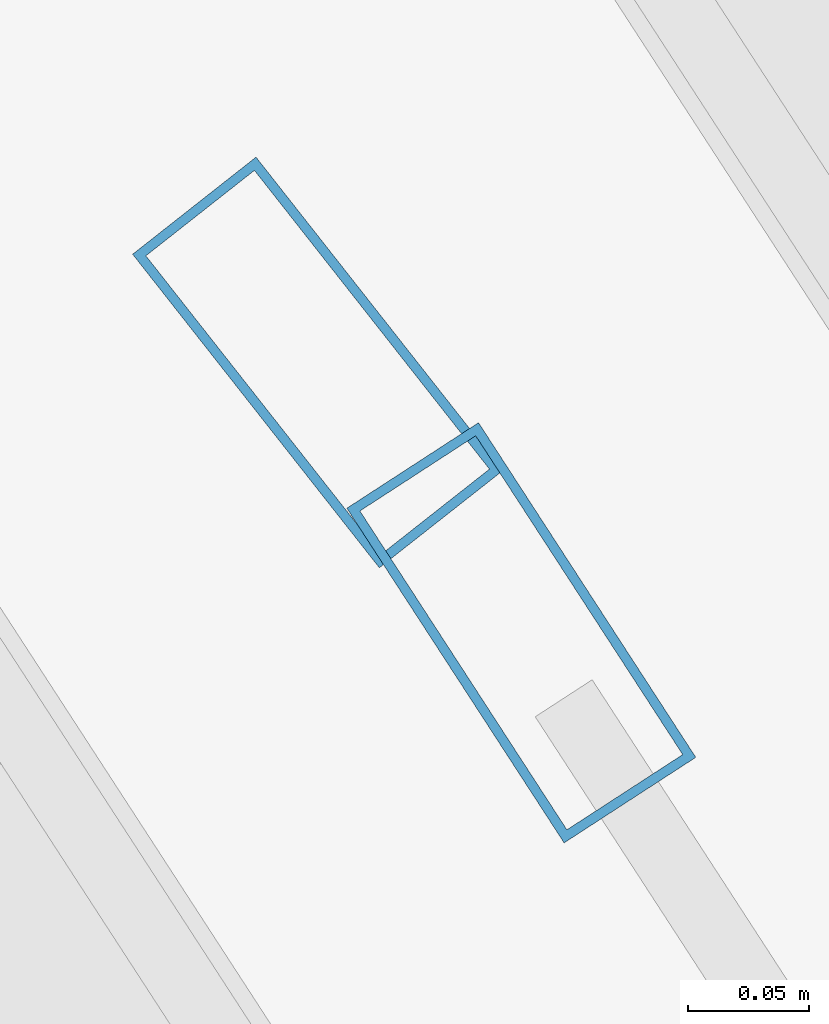
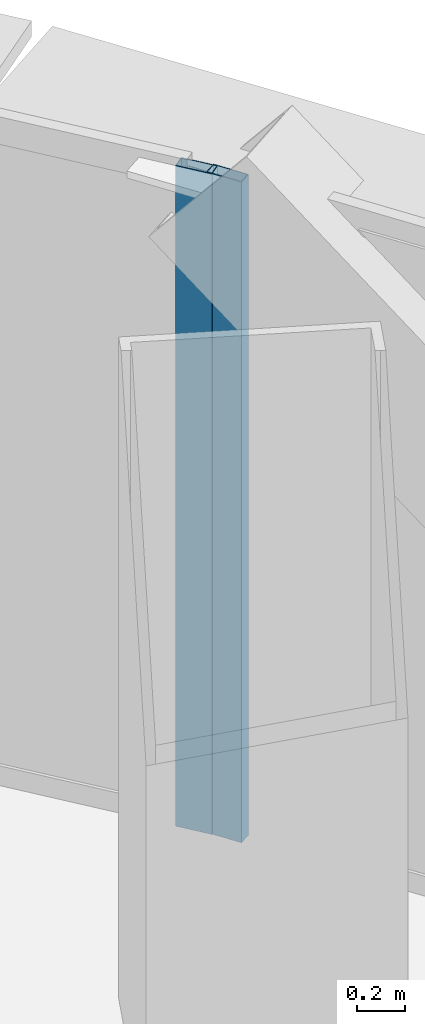
# One storey, part 20 of 42: 2 members, 2 elements without a shape of their own.
"""IFC4 building model written with IfcOpenShell, lengths in metres."""

from ifc_helpers import new_model, si_unit, direction, frame, origin, origin_2d, place, context, subcontext, project, spatial, hollow_rectangle, extrude, source, transform, mapped, material, layer, layer_set, material_profile, profile_set, type_object, element, aggregate, save


model = new_model("IFC4")

# Units and contexts
model_context = context("Model", 3, precision=1e-05, world=origin(), true_north=direction((0.0, 1.0)))
body_context = subcontext(model_context, "Body", "Model", "MODEL_VIEW")
ifc_project = project(units=[si_unit("LENGTHUNIT", "METRE"), si_unit("AREAUNIT", "SQUARE_METRE"), si_unit("VOLUMEUNIT", "CUBIC_METRE"), si_unit("PLANEANGLEUNIT", "RADIAN"), si_unit("MASSUNIT", "GRAM", prefix="KILO"), si_unit("THERMODYNAMICTEMPERATUREUNIT", "KELVIN"), si_unit("POWERUNIT", "WATT")], contexts=[model_context])

# Site, building, storey
site_placement = place(None, origin())
site = spatial("IfcSite", under=ifc_project, at=site_placement, CompositionType="ELEMENT")
building_placement = place(site_placement, origin())
building = spatial("IfcBuilding", under=site, at=building_placement, Name="Yunzhuo Pagoda Commons", CompositionType="ELEMENT")
storey_placement = place(building_placement, frame((0.0, 0.0, 44.919921875)))
storey = spatial("IfcBuildingStorey", under=building, at=storey_placement, Name="L11", CompositionType="ELEMENT", Elevation=44.919921875)

# Curtain wall, member
ifc_material = material(Name="Anodized aluminium 6063-T6", Category="aluminium")
ifc_layer = layer(ifc_material, 0.1650390625)
ifc_layer_set = layer_set([ifc_layer], Name="Anodized aluminium 6063-T6")
curtain_wall_type = type_object("IfcCurtainWallType", Name="CW-LOW Low-Zone Ribbon Curtain Wall", PredefinedType="NOTDEFINED", material=ifc_layer_set)
curtain_wall_1_placement = place(storey_placement, origin())
curtain_wall_1 = element("IfcCurtainWall", 1, at=curtain_wall_1_placement, inside=storey, type_object=curtain_wall_type, Name="L11 curtain wall CW-L11-F2B4", PredefinedType="NOTDEFINED")
ifc_material_profile = material_profile(ifc_material, hollow_rectangle(XDim=0.06494140625, YDim=0.1650390625, WallThickness=0.00390625, at=origin_2d()), Name="Anodized aluminium 6063-T6")
ifc_profile_set = profile_set([ifc_material_profile], Name="Anodized aluminium 6063-T6")
member_type = type_object("IfcMemberType", Name="CW-LOW-M Mullion RHS 165x65x4", PredefinedType="MULLION", material=ifc_profile_set)
shared_shape = source(origin(), body_context, "Body", "SweptSolid", [
    extrude(hollow_rectangle(XDim=0.06494140625, YDim=0.1650390625, WallThickness=0.00390625, at=origin_2d()), origin(), (0.0, 0.0, 1.0), 3.3701171875),
])
member_1_placement = place(storey_placement, frame((65.3232421875, 72.54150390625, 0.0), z_axis=(0.0, 0.0, 1.0), x_axis=(-0.838709783089, -0.54457864423, 0.0)))
member_1 = element("IfcMember", 2, at=member_1_placement, type_object=member_type, Name="CW mullion 2", PredefinedType="MULLION", context=body_context, shape_type="MappedRepresentation", body=[
    mapped(shared_shape, transform((0.0, 0.0, 0.0), scale=1.0)),
])
aggregate(curtain_wall_1, [member_1])

curtain_wall_2_placement = place(storey_placement, origin())
curtain_wall_2 = element("IfcCurtainWall", 3, at=curtain_wall_2_placement, inside=storey, type_object=curtain_wall_type, Name="L11 curtain wall CW-L11-F2B5", PredefinedType="NOTDEFINED")
member_2_placement = place(storey_placement, frame((65.239013671875, 72.6533203125, 0.0), z_axis=(0.0, 0.0, 1.0), x_axis=(-0.785883026265, -0.61837518468, 0.0)))
member_2 = element("IfcMember", 4, at=member_2_placement, type_object=member_type, Name="CW mullion 1", PredefinedType="MULLION", context=body_context, shape_type="MappedRepresentation", body=[
    mapped(shared_shape, transform((0.0, 0.0, 0.0), scale=1.0)),
])
aggregate(curtain_wall_2, [member_2])

save(model, "model.ifc")
